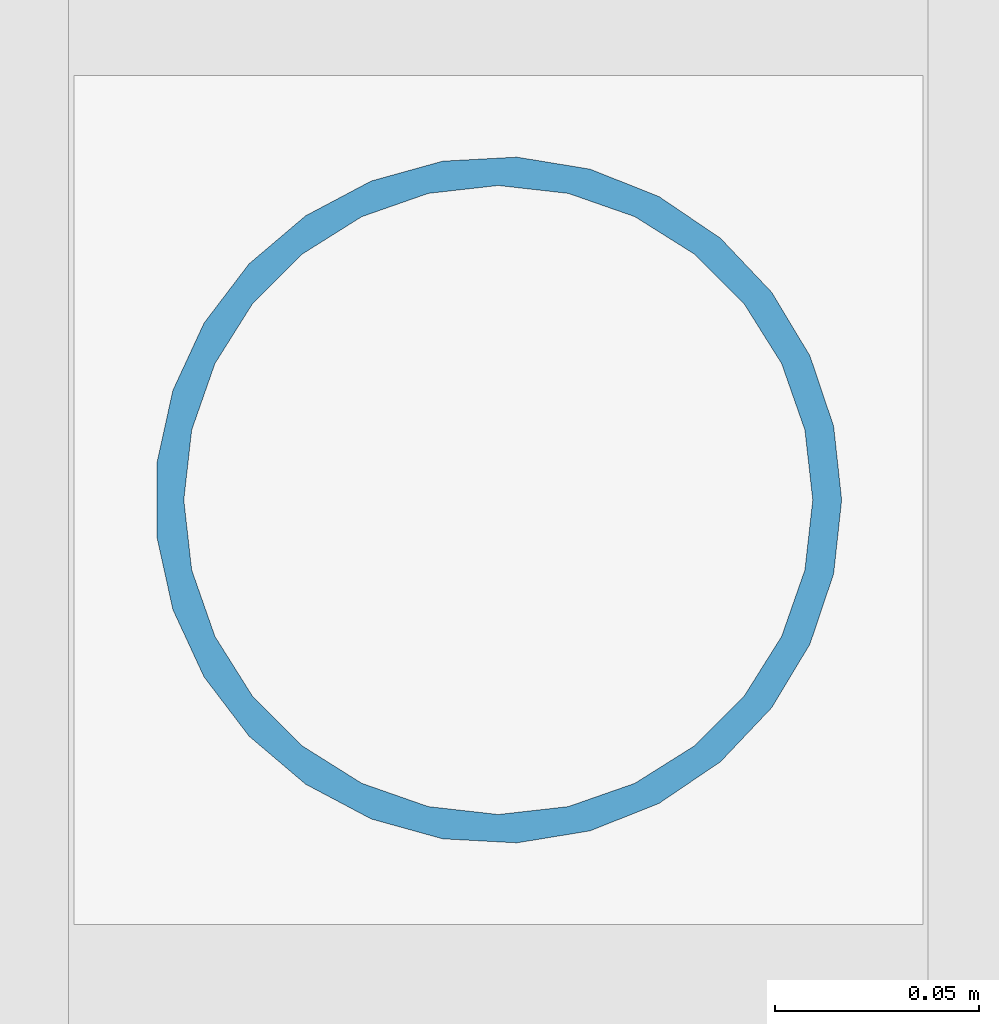
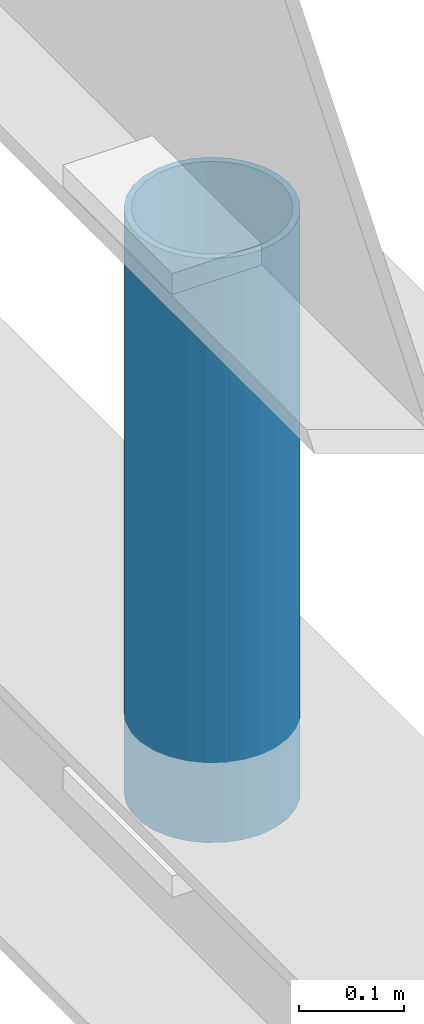
# One storey, part 23 of 74: 1 member.
"""IFC4 building model written with IfcOpenShell, lengths in metres."""

from ifc_helpers import new_model, si_unit, direction, frame, origin, origin_2d, place, context, subcontext, project, spatial, hollow_circle, extrude, material, material_profile, profile_set, type_object, element, save


model = new_model("IFC4")

# Units and contexts
model_context = context("Model", 3, precision=1e-05, world=origin(), true_north=direction((0.0, 1.0)))
body_context = subcontext(model_context, "Body", "Model", "MODEL_VIEW")
ifc_project = project(units=[si_unit("LENGTHUNIT", "METRE"), si_unit("AREAUNIT", "SQUARE_METRE"), si_unit("VOLUMEUNIT", "CUBIC_METRE"), si_unit("PLANEANGLEUNIT", "RADIAN"), si_unit("MASSUNIT", "GRAM", prefix="KILO")], contexts=[model_context])

# Site, building, storey
site_placement = place(None, origin())
site = spatial("IfcSite", under=ifc_project, at=site_placement, CompositionType="ELEMENT")
building_placement = place(site_placement, origin())
building = spatial("IfcBuilding", under=site, at=building_placement, Name="Siltcreek Boulevard Central Fire Station", CompositionType="ELEMENT")
storey_placement = place(building_placement, frame((0.0, 0.0, 25.199951171875)))
storey = spatial("IfcBuildingStorey", under=building, at=storey_placement, Name="RF", CompositionType="ELEMENT", Elevation=25.199951171875)

# Member
ifc_material = material(Name="Structural steel ASTM A500 GrC", Category="steel")
ifc_material_profile = material_profile(ifc_material, hollow_circle(Radius=0.084228515625, WallThickness=0.007080078125, at=origin_2d()), Name="HSS168.3X7.1")
ifc_profile_set = profile_set([ifc_material_profile], Name="Structural steel ASTM A500 GrC")
member_type = type_object("IfcMemberType", Name="BR_CHS168", PredefinedType="BRACE", material=ifc_profile_set)
member_placement = place(storey_placement, frame((60.0, 26.159912109375, -12.78662109375), z_axis=(0.0, 0.0, 1.0), x_axis=(1.0, 0.0, 0.0)))
element("IfcMember", 1, at=member_placement, inside=storey, type_object=member_type, Name="Roof truss web strut BR-042", PredefinedType="BRACE", context=body_context, shape_type="SweptSolid", body=[
    extrude(hollow_circle(Radius=0.084228515625, WallThickness=0.007080078125, at=origin_2d()), origin(), (0.0, 0.0, 1.0), 0.68017578125),
])

save(model, "model.ifc")
